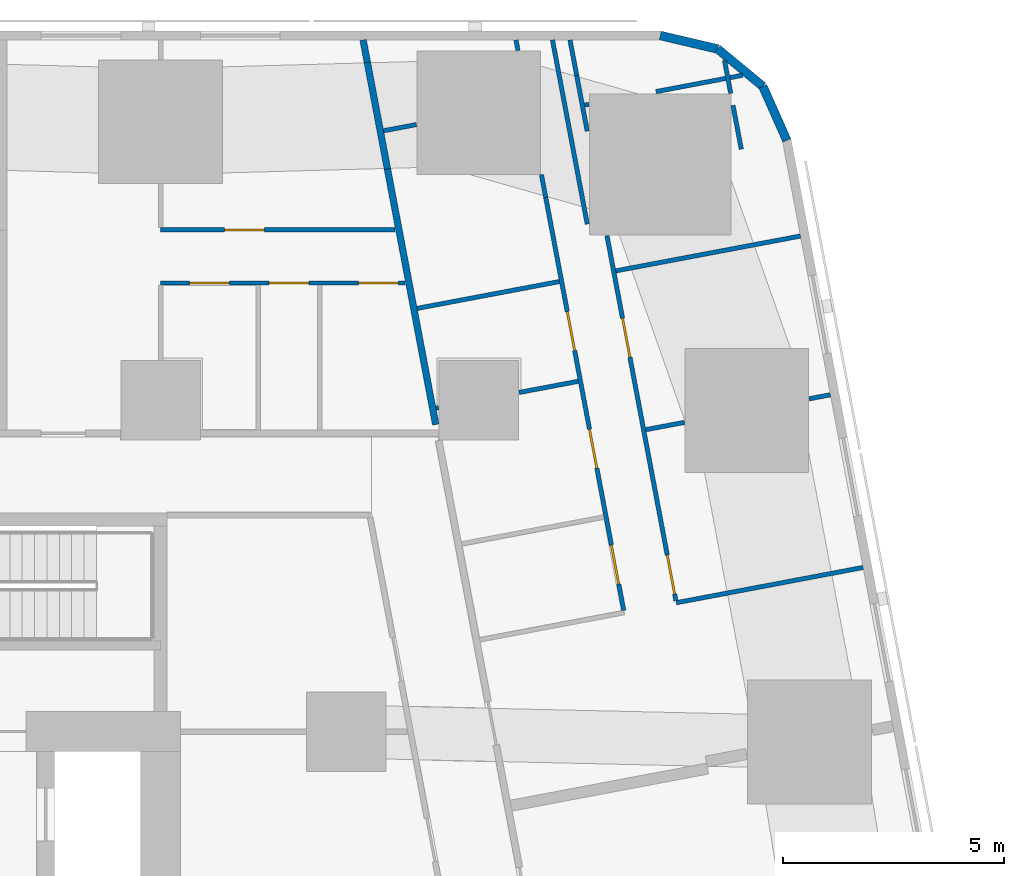
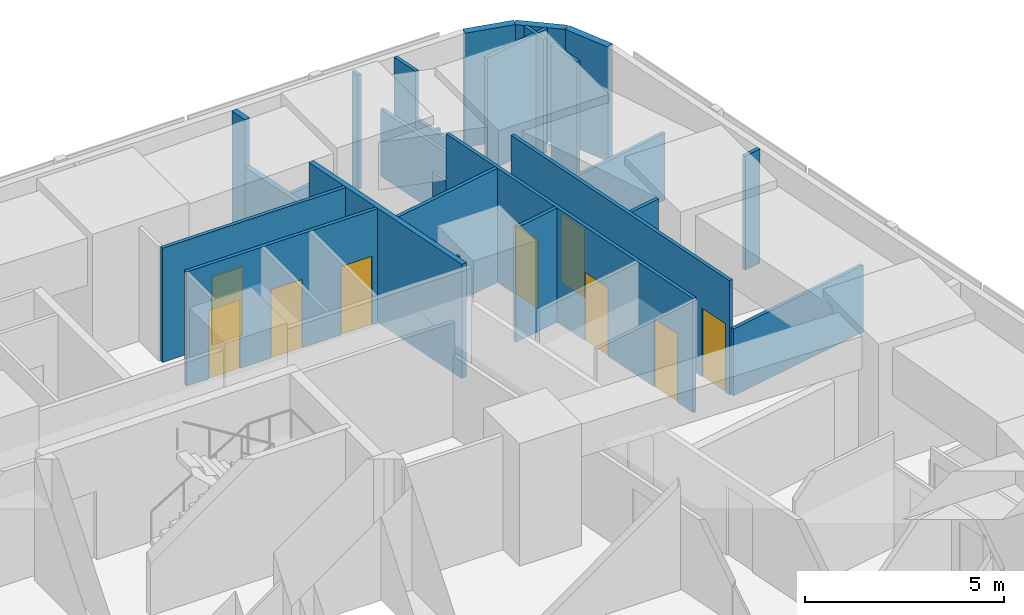
# One storey, part 13 of 18: 27 walls, 9 doors, 9 openings.
"""IFC4 building model written with IfcOpenShell, lengths in metres."""

from ifc_helpers import new_model, si_unit, direction, frame, frame_2d, origin, place, context, subcontext, project, spatial, rectangle, extrude, material, layer, layer_set, type_object, element, fill, save


model = new_model("IFC4")

# Units and contexts
model_context = context("Model", 3, precision=1e-05, world=origin(), true_north=direction((0.0, 1.0)))
body_context = subcontext(model_context, "Body", "Model", "MODEL_VIEW")
ifc_project = project(units=[si_unit("LENGTHUNIT", "METRE"), si_unit("AREAUNIT", "SQUARE_METRE"), si_unit("VOLUMEUNIT", "CUBIC_METRE"), si_unit("PLANEANGLEUNIT", "RADIAN"), si_unit("MASSUNIT", "GRAM", prefix="KILO")], contexts=[model_context])

# Site, building, storey
site_placement = place(None, origin())
site = spatial("IfcSite", under=ifc_project, at=site_placement, CompositionType="ELEMENT")
building_placement = place(site_placement, origin())
building = spatial("IfcBuilding", under=site, at=building_placement, Name="Sheger Commons Tower", CompositionType="ELEMENT")
storey_placement = place(building_placement, frame((0.0, 0.0, 35.0)))
storey = spatial("IfcBuildingStorey", under=building, at=storey_placement, Name="L08", CompositionType="ELEMENT", Elevation=35.0)

# Walls
ifc_material_1 = material(Name="Hollow concrete block masonry, skimmed both sides", Category="masonry")
ifc_layer_1 = layer(ifc_material_1, 0.14990234375)
ifc_layer_set_1 = layer_set([ifc_layer_1], Name="CORRIDOR WALL 150")
wall_type_1 = type_object("IfcWallType", Name="CORRIDOR WALL 150", PredefinedType="SOLIDWALL", material=ifc_layer_set_1)
wall_1_placement = place(storey_placement, frame((33.382080078125, 45.64990234375, 0.0), z_axis=(0.0, 0.0, 1.0), x_axis=(0.185657456326, -0.982614527122, 0.0)))
element("IfcWall", 1, at=wall_1_placement, inside=storey, type_object=wall_type_1, Name="Corridor wall L08", PredefinedType="SOLIDWALL", context=body_context, shape_type="SweptSolid", body=[
    extrude(rectangle(XDim=0.516845703125, YDim=0.14990234375, at=frame_2d((0.25830078125, 0.0))), origin(), (0.0, 0.0, 1.0), 3.5),
])
wall_2_placement = place(storey_placement, frame((33.47802734375, 45.14208984375, 0.0), z_axis=(0.0, 0.0, 1.0), x_axis=(0.185393362436, -0.982664388876, 0.0)))
element("IfcWall", 2, at=wall_2_placement, inside=storey, type_object=wall_type_1, Name="Corridor wall L08", PredefinedType="SOLIDWALL", context=body_context, shape_type="SweptSolid", body=[
    extrude(rectangle(XDim=2.45458984375, YDim=0.14990234375, at=frame_2d((1.227294921875, 0.0))), origin(), (0.0, 0.0, 1.0), 2.050048828125),
])
wall_3_placement = place(storey_placement, frame((33.93310546875, 42.72998046875, 0.0), z_axis=(0.0, 0.0, 1.0), x_axis=(0.185617897238, -0.982622000682, 0.0)))
element("IfcWall", 3, at=wall_3_placement, inside=storey, type_object=wall_type_1, Name="Corridor wall L08", PredefinedType="SOLIDWALL", context=body_context, shape_type="SweptSolid", body=[
    extrude(rectangle(XDim=5.88720703125, YDim=0.14990234375, at=frame_2d((2.943603515625, 0.0))), origin(), (0.0, 0.0, 1.0), 3.5),
])
ifc_material_2 = material(Name="Rendered concrete block masonry, dark grey", Category="masonry")
ifc_layer_2 = layer(ifc_material_2, 0.199951171875)
ifc_layer_set_2 = layer_set([ifc_layer_2], Name="FACADE WALL 200")
wall_type_2 = type_object("IfcWallType", Name="FACADE WALL 200", PredefinedType="SOLIDWALL", material=ifc_layer_set_2)
wall_4_placement = place(storey_placement, frame((42.969970703125, 43.376953125, 0.0), z_axis=(0.0, 0.0, 1.0), x_axis=(-0.406002956633, 0.913871762998, 0.0)))
element("IfcWall", 4, at=wall_4_placement, inside=storey, type_object=wall_type_2, Name="Facade wall L08", PredefinedType="SOLIDWALL", context=body_context, shape_type="SweptSolid", body=[
    extrude(rectangle(XDim=1.33740234375, YDim=0.199951171875, at=frame_2d((0.668701171875, 0.0))), origin(), (0.0, 0.0, 1.0), 3.5),
])
wall_5_placement = place(storey_placement, frame((42.427001953125, 44.59912109375, 0.0), z_axis=(0.0, 0.0, 1.0), x_axis=(-0.770091412544, 0.637933551655, 0.0)))
element("IfcWall", 5, at=wall_5_placement, inside=storey, type_object=wall_type_2, Name="Facade wall L08", PredefinedType="SOLIDWALL", context=body_context, shape_type="SweptSolid", body=[
    extrude(rectangle(XDim=1.324462890625, YDim=0.199951171875, at=frame_2d((0.662109375, 0.0))), origin(), (0.0, 0.0, 1.0), 3.5),
])
wall_6_placement = place(storey_placement, frame((41.406982421875, 45.444091796875, 0.0), z_axis=(0.0, 0.0, 1.0), x_axis=(-0.973453091607, 0.228886606077, 0.0)))
element("IfcWall", 6, at=wall_6_placement, inside=storey, type_object=wall_type_2, Name="Facade wall L08", PredefinedType="SOLIDWALL", context=body_context, shape_type="SweptSolid", body=[
    extrude(rectangle(XDim=1.33642578125, YDim=0.199951171875, at=frame_2d((0.668212890625, 0.0))), origin(), (0.0, 0.0, 1.0), 3.5),
])
ifc_material_3 = material(Name="Gypsum board on steel studs", Category="steel")
ifc_layer_3 = layer(ifc_material_3, 0.10009765625)
ifc_layer_set_3 = layer_set([ifc_layer_3], Name="PARTITION 100")
wall_type_3 = type_object("IfcWallType", Name="PARTITION 100", PredefinedType="PARTITIONING", material=ifc_layer_set_3)
wall_7_placement = place(storey_placement, frame((38.4541015625, 41.48291015625, 0.0), z_axis=(0.0, 0.0, 1.0), x_axis=(-0.185609245326, 0.982623634994, 0.0)))
element("IfcWall", 7, at=wall_7_placement, inside=storey, type_object=wall_type_3, Name="Partition L08", PredefinedType="PARTITIONING", context=body_context, shape_type="SweptSolid", body=[
    extrude(rectangle(XDim=4.24072265625, YDim=0.10009765625, at=frame_2d((2.120361328125, 0.0))), origin(), (0.0, 0.0, 1.0), 2.050048828125),
])
wall_8_placement = place(storey_placement, frame((41.55908203125, 45.18798828125, 0.0), z_axis=(0.0, 0.0, 1.0), x_axis=(0.185063078849, -0.98272664401, 0.0)))
element("IfcWall", 8, at=wall_8_placement, inside=storey, type_object=wall_type_3, Name="Partition L08", PredefinedType="PARTITIONING", context=body_context, shape_type="SweptSolid", body=[
    extrude(rectangle(XDim=0.76123046875, YDim=0.10009765625, at=frame_2d((0.380615234375, 0.0))), origin(), (0.0, 0.0, 1.0), 3.5),
])
wall_9_placement = place(storey_placement, frame((41.7509765625, 44.169921875, 0.0), z_axis=(0.0, 0.0, 1.0), x_axis=(0.186024046654, -0.98254519187, 0.0)))
element("IfcWall", 9, at=wall_9_placement, inside=storey, type_object=wall_type_3, Name="Partition L08", PredefinedType="PARTITIONING", context=body_context, shape_type="SweptSolid", body=[
    extrude(rectangle(XDim=1.010498046875, YDim=0.10009765625, at=frame_2d((0.50537109375, 0.0))), origin(), (0.0, 0.0, 1.0), 3.5),
])
wall_10_placement = place(storey_placement, frame((38.06298828125, 45.64990234375, 0.0), z_axis=(0.0, 0.0, 1.0), x_axis=(0.186109918919, -0.982528929895, 0.0)))
element("IfcWall", 10, at=wall_10_placement, inside=storey, type_object=wall_type_3, Name="Partition L08", PredefinedType="PARTITIONING", context=body_context, shape_type="SweptSolid", body=[
    extrude(rectangle(XDim=0.817138671875, YDim=0.10009765625, at=frame_2d((0.40869140625, 0.0))), origin(), (0.0, 0.0, 1.0), 3.5),
])
wall_11_placement = place(storey_placement, frame((38.215087890625, 44.846923828125, 0.0), z_axis=(0.0, 0.0, 1.0), x_axis=(0.185449486507, -0.982653798626, 0.0)))
element("IfcWall", 11, at=wall_11_placement, inside=storey, type_object=wall_type_3, Name="Partition L08", PredefinedType="PARTITIONING", context=body_context, shape_type="SweptSolid", body=[
    extrude(rectangle(XDim=1.2822265625, YDim=0.10009765625, at=frame_2d((0.64111328125, 0.0))), origin(), (0.0, 0.0, 1.0), 2.050048828125),
])

# Wall, openings, doors
wall_12_placement = place(storey_placement, frame((38.89990234375, 41.219970703125, 0.0), z_axis=(0.0, 0.0, 1.0), x_axis=(0.18556562412, -0.982631873666, 0.0)))
wall_12 = element("IfcWall", 12, at=wall_12_placement, inside=storey, type_object=wall_type_3, Name="Partition L08", PredefinedType="PARTITIONING", context=body_context, shape_type="SweptSolid", body=[
    extrude(rectangle(XDim=8.40185546875, YDim=0.10009765625, at=frame_2d((4.200927734375, 0.0))), origin(), (0.0, 0.0, 1.0), 3.5),
])
opening_1_placement = place(wall_12_placement, frame((7.35205078125, 0.0, 0.0)))
opening_1 = element("IfcOpeningElement", 13, at=opening_1_placement, cuts=wall_12, Name="Opening D2", PredefinedType="OPENING", context=body_context, shape_type="SweptSolid", body=[
    extrude(rectangle(XDim=0.89990234375, YDim=2.10009765625, at=frame_2d((0.449951171875, 1.050048828125))), frame((0.0, 0.06005859375, 0.0), z_axis=(0.0, -1.0, 0.0), x_axis=(1.0, 0.0, 0.0)), (0.0, 0.0, 1.0), 0.1201171875),
])
opening_2_placement = place(wall_12_placement, frame((1.89990234375, 0.0, 0.0)))
opening_2 = element("IfcOpeningElement", 14, at=opening_2_placement, cuts=wall_12, Name="Opening D2", PredefinedType="OPENING", context=body_context, shape_type="SweptSolid", body=[
    extrude(rectangle(XDim=0.89990234375, YDim=2.10009765625, at=frame_2d((0.449951171875, 1.050048828125))), frame((0.0, 0.06005859375, 0.0), z_axis=(0.0, -1.0, 0.0), x_axis=(1.0, 0.0, 0.0)), (0.0, 0.0, 1.0), 0.1201171875),
])
ifc_material_4 = material(Name="Timber door set", Category="wood")
door_type = type_object("IfcDoorType", Name="INTERNAL DOOR 900x2100", OperationType="NOTDEFINED", PredefinedType="DOOR", material=ifc_material_4)
door_1_placement = place(opening_1_placement, origin())
door_1 = element("IfcDoor", 15, at=door_1_placement, inside=storey, type_object=door_type, Name="Main bedroom door", OperationType="SINGLE_SWING_RIGHT", OverallHeight=2.10009765625, OverallWidth=0.89990234375, PredefinedType="DOOR", context=body_context, shape_type="SweptSolid", body=[
    extrude(rectangle(XDim=0.89990234375, YDim=2.10009765625, at=frame_2d((0.449951171875, 1.050048828125))), frame((0.0, 0.02490234375, 0.0), z_axis=(0.0, -1.0, 0.0), x_axis=(1.0, 0.0, 0.0)), (0.0, 0.0, 1.0), 0.050048828125),
])
fill(opening_1, door_1)
door_2_placement = place(opening_2_placement, origin())
door_2 = element("IfcDoor", 16, at=door_2_placement, inside=storey, type_object=door_type, Name="Bedroom 2 door", OperationType="SINGLE_SWING_LEFT", OverallHeight=2.10009765625, OverallWidth=0.89990234375, PredefinedType="DOOR", context=body_context, shape_type="SweptSolid", body=[
    extrude(rectangle(XDim=0.89990234375, YDim=2.10009765625, at=frame_2d((0.449951171875, 1.050048828125))), frame((0.0, 0.02490234375, 0.0), z_axis=(0.0, -1.0, 0.0), x_axis=(1.0, 0.0, 0.0)), (0.0, 0.0, 1.0), 0.050048828125),
])
fill(opening_2, door_2)

# Walls
wall_13_placement = place(storey_placement, frame((36.842041015625, 45.64990234375, 0.0), z_axis=(0.0, 0.0, 1.0), x_axis=(0.183986661451, -0.982928740249, 0.0)))
element("IfcWall", 17, at=wall_13_placement, inside=storey, type_object=wall_type_3, Name="Partition L08", PredefinedType="PARTITIONING", context=body_context, shape_type="SweptSolid", body=[
    extrude(rectangle(XDim=0.244140625, YDim=0.10009765625, at=frame_2d((0.1220703125, 0.0))), origin(), (0.0, 0.0, 1.0), 3.5),
])
wall_14_placement = place(storey_placement, frame((37.4169921875, 42.60205078125, 0.0), z_axis=(0.0, 0.0, 1.0), x_axis=(0.185672001976, -0.982611778721, 0.0)))
element("IfcWall", 18, at=wall_14_placement, inside=storey, type_object=wall_type_3, Name="Partition L08", PredefinedType="PARTITIONING", context=body_context, shape_type="SweptSolid", body=[
    extrude(rectangle(XDim=0.52197265625, YDim=0.10009765625, at=frame_2d((0.260986328125, 0.0))), origin(), (0.0, 0.0, 1.0), 2.050048828125),
])

# Wall, openings, doors
wall_15_placement = place(storey_placement, frame((37.513916015625, 42.089111328125, 0.0), z_axis=(0.0, 0.0, 1.0), x_axis=(0.185543450498, -0.982636060796, 0.0)))
wall_15 = element("IfcWall", 19, at=wall_15_placement, inside=storey, type_object=wall_type_3, Name="Partition L08", PredefinedType="PARTITIONING", context=body_context, shape_type="SweptSolid", body=[
    extrude(rectangle(XDim=9.513427734375, YDim=0.10009765625, at=frame_2d((4.7568359375, 0.0))), origin(), (0.0, 0.0, 1.0), 3.5),
])
opening_3_placement = place(wall_15_placement, frame((8.008056640625, 0.0, 0.0)))
opening_3 = element("IfcOpeningElement", 20, at=opening_3_placement, cuts=wall_15, Name="Opening D2", PredefinedType="OPENING", context=body_context, shape_type="SweptSolid", body=[
    extrude(rectangle(XDim=0.89990234375, YDim=2.10009765625, at=frame_2d((0.449951171875, 1.050048828125))), frame((0.0, 0.06005859375, 0.0), z_axis=(0.0, -1.0, 0.0), x_axis=(1.0, 0.0, 0.0)), (0.0, 0.0, 1.0), 0.1201171875),
])
opening_4_placement = place(wall_15_placement, frame((2.6298828125, 0.0, 0.0)))
opening_4 = element("IfcOpeningElement", 21, at=opening_4_placement, cuts=wall_15, Name="Opening D2", PredefinedType="OPENING", context=body_context, shape_type="SweptSolid", body=[
    extrude(rectangle(XDim=0.89990234375, YDim=2.10009765625, at=frame_2d((0.449951171875, 1.050048828125))), frame((0.0, 0.06005859375, 0.0), z_axis=(0.0, -1.0, 0.0), x_axis=(1.0, 0.0, 0.0)), (0.0, 0.0, 1.0), 0.1201171875),
])
opening_5_placement = place(wall_15_placement, frame((5.341064453125, 0.0, 0.0)))
opening_5 = element("IfcOpeningElement", 22, at=opening_5_placement, cuts=wall_15, Name="Opening D2", PredefinedType="OPENING", context=body_context, shape_type="SweptSolid", body=[
    extrude(rectangle(XDim=0.89990234375, YDim=2.10009765625, at=frame_2d((0.449951171875, 1.050048828125))), frame((0.0, 0.06005859375, 0.0), z_axis=(0.0, -1.0, 0.0), x_axis=(1.0, 0.0, 0.0)), (0.0, 0.0, 1.0), 0.1201171875),
])
door_3_placement = place(opening_3_placement, origin())
door_3 = element("IfcDoor", 23, at=door_3_placement, inside=storey, type_object=door_type, Name="Bathroom door", OperationType="SINGLE_SWING_LEFT", OverallHeight=2.10009765625, OverallWidth=0.89990234375, PredefinedType="DOOR", context=body_context, shape_type="SweptSolid", body=[
    extrude(rectangle(XDim=0.89990234375, YDim=2.10009765625, at=frame_2d((0.449951171875, 1.050048828125))), frame((0.0, 0.02490234375, 0.0), z_axis=(0.0, -1.0, 0.0), x_axis=(1.0, 0.0, 0.0)), (0.0, 0.0, 1.0), 0.050048828125),
])
fill(opening_3, door_3)
door_4_placement = place(opening_4_placement, origin())
door_4 = element("IfcDoor", 24, at=door_4_placement, inside=storey, type_object=door_type, Name="Laundry room door", OperationType="SINGLE_SWING_RIGHT", OverallHeight=2.10009765625, OverallWidth=0.89990234375, PredefinedType="DOOR", context=body_context, shape_type="SweptSolid", body=[
    extrude(rectangle(XDim=0.89990234375, YDim=2.10009765625, at=frame_2d((0.449951171875, 1.050048828125))), frame((0.0, 0.02490234375, 0.0), z_axis=(0.0, -1.0, 0.0), x_axis=(1.0, 0.0, 0.0)), (0.0, 0.0, 1.0), 0.050048828125),
])
fill(opening_4, door_4)
door_5_placement = place(opening_5_placement, origin())
door_5 = element("IfcDoor", 25, at=door_5_placement, inside=storey, type_object=door_type, Name="Store door", OperationType="SINGLE_SWING_RIGHT", OverallHeight=2.10009765625, OverallWidth=0.89990234375, PredefinedType="DOOR", context=body_context, shape_type="SweptSolid", body=[
    extrude(rectangle(XDim=0.89990234375, YDim=2.10009765625, at=frame_2d((0.449951171875, 1.050048828125))), frame((0.0, 0.02490234375, 0.0), z_axis=(0.0, -1.0, 0.0), x_axis=(1.0, 0.0, 0.0)), (0.0, 0.0, 1.0), 0.050048828125),
])
fill(opening_5, door_5)

# Walls
wall_16_placement = place(storey_placement, frame((41.968017578125, 44.85009765625, 0.0), z_axis=(0.0, 0.0, 1.0), x_axis=(-0.982543651732, -0.186032181195, 0.0)))
element("IfcWall", 26, at=wall_16_placement, inside=storey, type_object=wall_type_3, Name="Partition L08", PredefinedType="PARTITIONING", context=body_context, shape_type="SweptSolid", body=[
    extrude(rectangle(XDim=1.994873046875, YDim=0.10009765625, at=frame_2d((0.99755859375, 0.0))), origin(), (0.0, 0.0, 1.0), 3.5),
])
wall_17_placement = place(storey_placement, frame((38.491943359375, 44.193115234375, 0.0), z_axis=(0.0, 0.0, 1.0), x_axis=(-0.981954528773, -0.189117168504, 0.0)))
element("IfcWall", 27, at=wall_17_placement, inside=storey, type_object=wall_type_3, Name="Partition L08", PredefinedType="PARTITIONING", context=body_context, shape_type="SweptSolid", body=[
    extrude(rectangle(XDim=0.1005859375, YDim=0.10009765625, at=frame_2d((0.05029296875, 0.0))), origin(), (0.0, 0.0, 1.0), 2.050048828125),
])
wall_18_placement = place(storey_placement, frame((43.277099609375, 41.2119140625, 0.0), z_axis=(0.0, 0.0, 1.0), x_axis=(-0.982665405803, -0.185387972203, 0.0)))
element("IfcWall", 28, at=wall_18_placement, inside=storey, type_object=wall_type_3, Name="Partition L08", PredefinedType="PARTITIONING", context=body_context, shape_type="SweptSolid", body=[
    extrude(rectangle(XDim=4.249755859375, YDim=0.10009765625, at=frame_2d((2.125, 0.0))), origin(), (0.0, 0.0, 1.0), 2.050048828125),
])
wall_19_placement = place(storey_placement, frame((43.955078125, 37.6201171875, 0.0), z_axis=(0.0, 0.0, 1.0), x_axis=(-0.982543152073, -0.186034820164, 0.0)))
element("IfcWall", 29, at=wall_19_placement, inside=storey, type_object=wall_type_3, Name="Partition L08", PredefinedType="PARTITIONING", context=body_context, shape_type="SweptSolid", body=[
    extrude(rectangle(XDim=0.489501953125, YDim=0.10009765625, at=frame_2d((0.24462890625, 0.0))), origin(), (0.0, 0.0, 1.0), 3.5),
])
wall_20_placement = place(storey_placement, frame((40.654052734375, 36.99609375, 0.0), z_axis=(0.0, 0.0, 1.0), x_axis=(-0.982672962335, -0.185347913655, 0.0)))
element("IfcWall", 30, at=wall_20_placement, inside=storey, type_object=wall_type_3, Name="Partition L08", PredefinedType="PARTITIONING", context=body_context, shape_type="SweptSolid", body=[
    extrude(rectangle(XDim=0.890380859375, YDim=0.10009765625, at=frame_2d((0.4453125, 0.0))), origin(), (0.0, 0.0, 1.0), 3.5),
])
wall_21_placement = place(storey_placement, frame((44.693115234375, 33.712890625, 0.0), z_axis=(0.0, 0.0, 1.0), x_axis=(-0.982633535512, -0.185556823879, 0.0)))
element("IfcWall", 31, at=wall_21_placement, inside=storey, type_object=wall_type_3, Name="Partition L08", PredefinedType="PARTITIONING", context=body_context, shape_type="SweptSolid", body=[
    extrude(rectangle(XDim=4.2998046875, YDim=0.10009765625, at=frame_2d((2.14990234375, 0.0))), origin(), (0.0, 0.0, 1.0), 2.050048828125),
])
wall_22_placement = place(storey_placement, frame((34.590087890625, 43.73388671875, 0.0), z_axis=(0.0, 0.0, 1.0), x_axis=(-0.98274036184, -0.184990219229, 0.0)))
element("IfcWall", 32, at=wall_22_placement, inside=storey, type_object=wall_type_3, Name="Partition L08", PredefinedType="PARTITIONING", context=body_context, shape_type="SweptSolid", body=[
    extrude(rectangle(XDim=0.756103515625, YDim=0.10009765625, at=frame_2d((0.3779296875, 0.0))), origin(), (0.0, 0.0, 1.0), 2.050048828125),
])
wall_23_placement = place(storey_placement, frame((37.822998046875, 40.181884765625, 0.0), z_axis=(0.0, 0.0, 1.0), x_axis=(-0.982664729897, -0.18539155487, 0.0)))
element("IfcWall", 33, at=wall_23_placement, inside=storey, type_object=wall_type_3, Name="Partition L08", PredefinedType="PARTITIONING", context=body_context, shape_type="SweptSolid", body=[
    extrude(rectangle(XDim=3.273681640625, YDim=0.10009765625, at=frame_2d((1.63671875, 0.0))), origin(), (0.0, 0.0, 1.0), 3.5),
])
wall_24_placement = place(storey_placement, frame((38.25, 37.925048828125, 0.0), z_axis=(0.0, 0.0, 1.0), x_axis=(-0.982650574676, -0.185466568658, 0.0)))
element("IfcWall", 34, at=wall_24_placement, inside=storey, type_object=wall_type_3, Name="Partition L08", PredefinedType="PARTITIONING", context=body_context, shape_type="SweptSolid", body=[
    extrude(rectangle(XDim=1.36376953125, YDim=0.10009765625, at=frame_2d((0.681884765625, 0.0))), origin(), (0.0, 0.0, 1.0), 3.5),
])
wall_25_placement = place(storey_placement, frame((35.090087890625, 37.327880859375, 0.0), z_axis=(0.0, 0.0, 1.0), x_axis=(-0.982590620415, -0.185783940835, 0.0)))
element("IfcWall", 35, at=wall_25_placement, inside=storey, type_object=wall_type_3, Name="Partition L08", PredefinedType="PARTITIONING", context=body_context, shape_type="SweptSolid", body=[
    extrude(rectangle(XDim=0.05908203125, YDim=0.10009765625, at=frame_2d((0.029541015625, 0.0))), origin(), (0.0, 0.0, 1.0), 3.5),
])

# Wall, opening, door
wall_26_placement = place(storey_placement, frame((28.800048828125, 41.35009765625, 0.0), z_axis=(0.0, 0.0, 1.0), x_axis=(1.0, 0.0, 0.0)))
wall_26 = element("IfcWall", 36, at=wall_26_placement, inside=storey, type_object=wall_type_3, Name="Partition L08", PredefinedType="PARTITIONING", context=body_context, shape_type="SweptSolid", body=[
    extrude(rectangle(XDim=5.307861328125, YDim=0.10009765625, at=frame_2d((2.65380859375, 0.0))), origin(), (0.0, 0.0, 1.0), 3.5),
])
opening_6_placement = place(wall_26_placement, frame((1.449951171875, 0.0, 0.0)))
opening_6 = element("IfcOpeningElement", 37, at=opening_6_placement, cuts=wall_26, Name="Opening D2", PredefinedType="OPENING", context=body_context, shape_type="SweptSolid", body=[
    extrude(rectangle(XDim=0.89990234375, YDim=2.10009765625, at=frame_2d((0.449951171875, 1.050048828125))), frame((0.0, 0.06005859375, 0.0), z_axis=(0.0, -1.0, 0.0), x_axis=(1.0, 0.0, 0.0)), (0.0, 0.0, 1.0), 0.1201171875),
])
door_6_placement = place(opening_6_placement, origin())
door_6 = element("IfcDoor", 38, at=door_6_placement, inside=storey, type_object=door_type, Name="Main bedroom door", OperationType="SINGLE_SWING_RIGHT", OverallHeight=2.10009765625, OverallWidth=0.89990234375, PredefinedType="DOOR", context=body_context, shape_type="SweptSolid", body=[
    extrude(rectangle(XDim=0.89990234375, YDim=2.10009765625, at=frame_2d((0.449951171875, 1.050048828125))), frame((0.0, 0.02490234375, 0.0), z_axis=(0.0, -1.0, 0.0), x_axis=(1.0, 0.0, 0.0)), (0.0, 0.0, 1.0), 0.050048828125),
])
fill(opening_6, door_6)

# Wall, openings, doors
wall_27_placement = place(storey_placement, frame((28.800048828125, 40.14990234375, 0.0), z_axis=(0.0, 0.0, 1.0), x_axis=(1.0, 0.0, 0.0)))
wall_27 = element("IfcWall", 39, at=wall_27_placement, inside=storey, type_object=wall_type_3, Name="Partition L08", PredefinedType="PARTITIONING", context=body_context, shape_type="SweptSolid", body=[
    extrude(rectangle(XDim=5.534912109375, YDim=0.10009765625, at=frame_2d((2.767578125, 0.0))), origin(), (0.0, 0.0, 1.0), 3.5),
])
opening_7_placement = place(wall_27_placement, frame((0.655029296875, 0.0, 0.0)))
opening_7 = element("IfcOpeningElement", 40, at=opening_7_placement, cuts=wall_27, Name="Opening D2", PredefinedType="OPENING", context=body_context, shape_type="SweptSolid", body=[
    extrude(rectangle(XDim=0.89990234375, YDim=2.10009765625, at=frame_2d((0.449951171875, 1.050048828125))), frame((0.0, 0.06005859375, 0.0), z_axis=(0.0, -1.0, 0.0), x_axis=(1.0, 0.0, 0.0)), (0.0, 0.0, 1.0), 0.1201171875),
])
opening_8_placement = place(wall_27_placement, frame((4.48095703125, 0.0, 0.0)))
opening_8 = element("IfcOpeningElement", 41, at=opening_8_placement, cuts=wall_27, Name="Opening D2", PredefinedType="OPENING", context=body_context, shape_type="SweptSolid", body=[
    extrude(rectangle(XDim=0.89990234375, YDim=2.10009765625, at=frame_2d((0.449951171875, 1.050048828125))), frame((0.0, 0.06005859375, 0.0), z_axis=(0.0, -1.0, 0.0), x_axis=(1.0, 0.0, 0.0)), (0.0, 0.0, 1.0), 0.1201171875),
])
opening_9_placement = place(wall_27_placement, frame((2.455078125, 0.0, 0.0)))
opening_9 = element("IfcOpeningElement", 42, at=opening_9_placement, cuts=wall_27, Name="Opening D2", PredefinedType="OPENING", context=body_context, shape_type="SweptSolid", body=[
    extrude(rectangle(XDim=0.89990234375, YDim=2.10009765625, at=frame_2d((0.449951171875, 1.050048828125))), frame((0.0, 0.06005859375, 0.0), z_axis=(0.0, -1.0, 0.0), x_axis=(1.0, 0.0, 0.0)), (0.0, 0.0, 1.0), 0.1201171875),
])
door_7_placement = place(opening_7_placement, origin())
door_7 = element("IfcDoor", 43, at=door_7_placement, inside=storey, type_object=door_type, Name="Bathroom door", OperationType="SINGLE_SWING_RIGHT", OverallHeight=2.10009765625, OverallWidth=0.89990234375, PredefinedType="DOOR", context=body_context, shape_type="SweptSolid", body=[
    extrude(rectangle(XDim=0.89990234375, YDim=2.10009765625, at=frame_2d((0.449951171875, 1.050048828125))), frame((0.0, 0.02490234375, 0.0), z_axis=(0.0, -1.0, 0.0), x_axis=(1.0, 0.0, 0.0)), (0.0, 0.0, 1.0), 0.050048828125),
])
fill(opening_7, door_7)
door_8_placement = place(opening_8_placement, origin())
door_8 = element("IfcDoor", 44, at=door_8_placement, inside=storey, type_object=door_type, Name="Laundry room door", OperationType="SINGLE_SWING_LEFT", OverallHeight=2.10009765625, OverallWidth=0.89990234375, PredefinedType="DOOR", context=body_context, shape_type="SweptSolid", body=[
    extrude(rectangle(XDim=0.89990234375, YDim=2.10009765625, at=frame_2d((0.449951171875, 1.050048828125))), frame((0.0, 0.02490234375, 0.0), z_axis=(0.0, -1.0, 0.0), x_axis=(1.0, 0.0, 0.0)), (0.0, 0.0, 1.0), 0.050048828125),
])
fill(opening_8, door_8)
door_9_placement = place(opening_9_placement, origin())
door_9 = element("IfcDoor", 45, at=door_9_placement, inside=storey, type_object=door_type, Name="Store door", OperationType="SINGLE_SWING_LEFT", OverallHeight=2.10009765625, OverallWidth=0.89990234375, PredefinedType="DOOR", context=body_context, shape_type="SweptSolid", body=[
    extrude(rectangle(XDim=0.89990234375, YDim=2.10009765625, at=frame_2d((0.449951171875, 1.050048828125))), frame((0.0, 0.02490234375, 0.0), z_axis=(0.0, -1.0, 0.0), x_axis=(1.0, 0.0, 0.0)), (0.0, 0.0, 1.0), 0.050048828125),
])
fill(opening_9, door_9)

save(model, "model.ifc")
